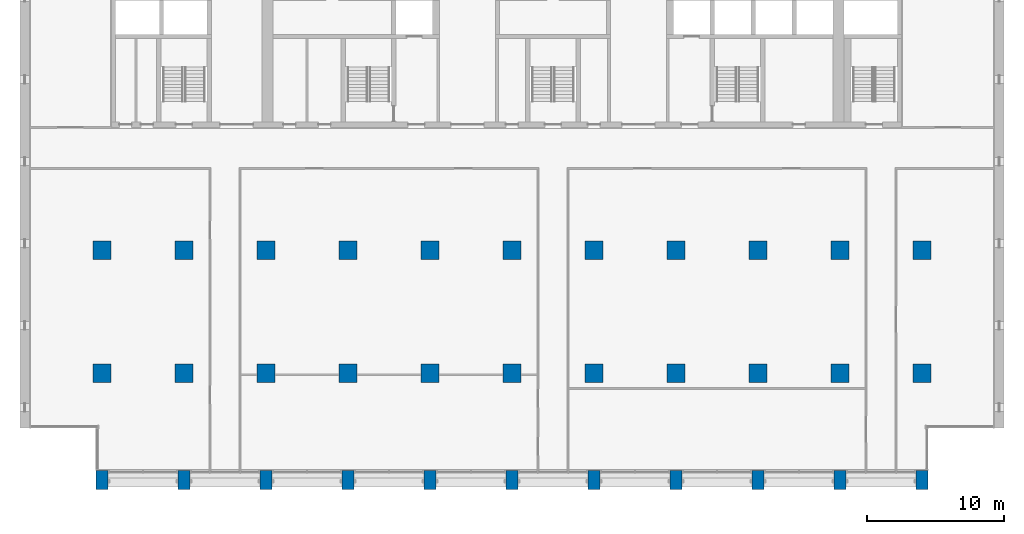
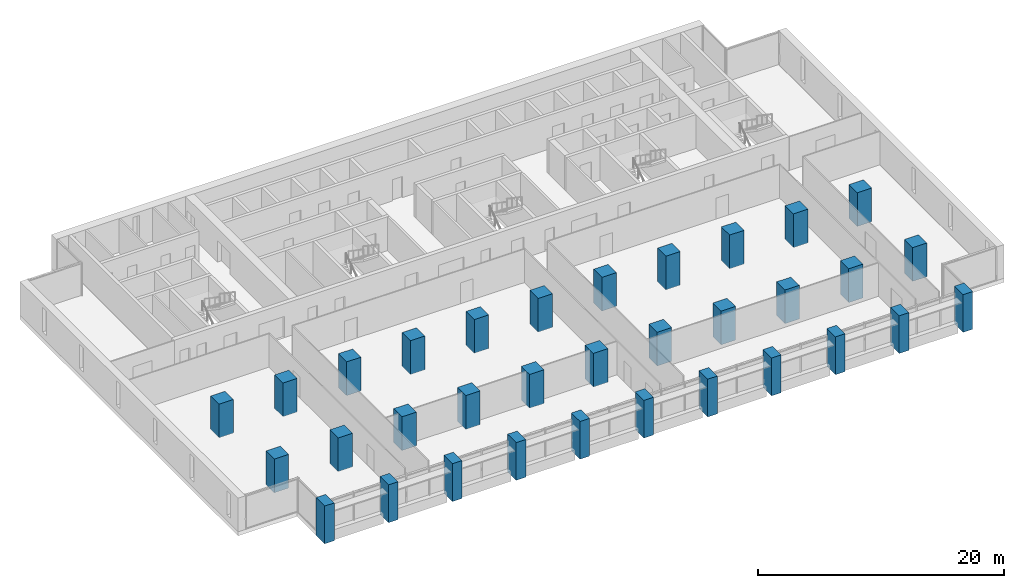
# One storey, part 1 of 15: 33 columns.
"""IFC4 building model written with IfcOpenShell, lengths in metres."""

from ifc_helpers import new_model, si_unit, direction, frame, origin, origin_2d, place, context, subcontext, project, spatial, rectangle, extrude, material, material_profile, profile_set, type_object, element, save


model = new_model("IFC4")

# Units and contexts
model_context = context("Model", 3, precision=1e-05, world=origin(), true_north=direction((0.0, 1.0)))
body_context = subcontext(model_context, "Body", "Model", "MODEL_VIEW")
ifc_project = project(units=[si_unit("LENGTHUNIT", "METRE"), si_unit("AREAUNIT", "SQUARE_METRE"), si_unit("VOLUMEUNIT", "CUBIC_METRE"), si_unit("PLANEANGLEUNIT", "RADIAN"), si_unit("MASSUNIT", "GRAM", prefix="KILO")], contexts=[model_context])

# Site, building, storey
site_placement = place(None, origin())
site = spatial("IfcSite", under=ifc_project, at=site_placement, CompositionType="ELEMENT")
building_placement = place(site_placement, origin())
building = spatial("IfcBuilding", under=site, at=building_placement, Name="Calvaro Tower", CompositionType="ELEMENT")
storey_placement = place(building_placement, frame((0.0, 0.0, 113.75)))
storey = spatial("IfcBuildingStorey", under=building, at=storey_placement, Name="L28", CompositionType="ELEMENT", Elevation=113.75)

# Columns
ifc_material_1 = material(Name="Concrete C60/75", Category="concrete")
ifc_material_profile_1 = material_profile(ifc_material_1, rectangle(XDim=1.35009765625, YDim=1.35009765625, at=origin_2d()), Name="RC 1350x1350")
ifc_profile_set_1 = profile_set([ifc_material_profile_1], Name="Concrete C60/75")
column_type_1 = type_object("IfcColumnType", Name="Column 1350x1350 C60/75", PredefinedType="COLUMN", material=ifc_profile_set_1)
for number, where, z_axis, x_axis, name in (
    (1, (6.0, 10.0, 0.0), (0.0, 0.0, 1.0), (1.0, 0.0, 0.0), "Column 2B"),
    (2, (6.0, 19.0, 0.0), (0.0, 0.0, 1.0), (1.0, 0.0, 0.0), "Column 2C"),
    (3, (12.0, 10.0, 0.0), (0.0, 0.0, 1.0), (1.0, 0.0, 0.0), "Column 3B"),
    (4, (12.0, 19.0, 0.0), (0.0, 0.0, 1.0), (1.0, 0.0, 0.0), "Column 3C"),
    (5, (18.0, 10.0, 0.0), (0.0, 0.0, 1.0), (1.0, 0.0, 0.0), "Column 4B"),
    (6, (18.0, 19.0, 0.0), (0.0, 0.0, 1.0), (1.0, 0.0, 0.0), "Column 4C"),
    (7, (24.0, 10.0, 0.0), (0.0, 0.0, 1.0), (1.0, 0.0, 0.0), "Column 5B"),
    (8, (24.0, 19.0, 0.0), (0.0, 0.0, 1.0), (1.0, 0.0, 0.0), "Column 5C"),
    (9, (30.0, 10.0, 0.0), (0.0, 0.0, 1.0), (1.0, 0.0, 0.0), "Column 6B"),
    (10, (30.0, 19.0, 0.0), (0.0, 0.0, 1.0), (1.0, 0.0, 0.0), "Column 6C"),
    (11, (36.0, 10.0, 0.0), (0.0, 0.0, 1.0), (1.0, 0.0, 0.0), "Column 7B"),
    (12, (36.0, 19.0, 0.0), (0.0, 0.0, 1.0), (1.0, 0.0, 0.0), "Column 7C"),
    (13, (42.0, 10.0, 0.0), (0.0, 0.0, 1.0), (1.0, 0.0, 0.0), "Column 8B"),
    (14, (42.0, 19.0, 0.0), (0.0, 0.0, 1.0), (1.0, 0.0, 0.0), "Column 8C"),
    (15, (48.0, 10.0, 0.0), (0.0, 0.0, 1.0), (1.0, 0.0, 0.0), "Column 9B"),
    (16, (48.0, 19.0, 0.0), (0.0, 0.0, 1.0), (1.0, 0.0, 0.0), "Column 9C"),
    (17, (54.0, 10.0, 0.0), (0.0, 0.0, 1.0), (1.0, 0.0, 0.0), "Column 10B"),
    (18, (54.0, 19.0, 0.0), (0.0, 0.0, 1.0), (1.0, 0.0, 0.0), "Column 10C"),
    (19, (60.0, 10.0, 0.0), (0.0, 0.0, 1.0), (1.0, 0.0, 0.0), "Column 11B"),
    (20, (60.0, 19.0, 0.0), (0.0, 0.0, 1.0), (1.0, 0.0, 0.0), "Column 11C"),
    (21, (66.0, 10.0, 0.0), (0.0, 0.0, 1.0), (1.0, 0.0, 0.0), "Column 12B"),
    (22, (66.0, 19.0, 0.0), (0.0, 0.0, 1.0), (1.0, 0.0, 0.0), "Column 12C"),
):
    element("IfcColumn", number, at=place(storey_placement, frame(where, z_axis=z_axis, x_axis=x_axis)), inside=storey, type_object=column_type_1, Name=name, PredefinedType="COLUMN", context=body_context, shape_type="SweptSolid", body=[
        extrude(rectangle(XDim=1.35009765625, YDim=1.35009765625, at=origin_2d()), origin(), (0.0, 0.0, 1.0), 3.35009765625),
    ])
ifc_material_2 = material(Name="Concrete C60/75", Category="concrete")
ifc_material_profile_2 = material_profile(ifc_material_2, rectangle(XDim=0.89990234375, YDim=1.39990234375, at=origin_2d()), Name="RC 900x1400")
ifc_profile_set_2 = profile_set([ifc_material_profile_2], Name="Concrete C60/75")
column_type_2 = type_object("IfcColumnType", Name="Pier 900x1400 C60/75", PredefinedType="COLUMN", material=ifc_profile_set_2)
for number, where, z_axis, x_axis, name in (
    (23, (6.0, 2.199951171875, -0.39990234375), (0.0, 0.0, 1.0), (1.0, 0.0, 0.0), "South pier 2"),
    (24, (12.0, 2.199951171875, -0.39990234375), (0.0, 0.0, 1.0), (1.0, 0.0, 0.0), "South pier 3"),
    (25, (18.0, 2.199951171875, -0.39990234375), (0.0, 0.0, 1.0), (1.0, 0.0, 0.0), "South pier 4"),
    (26, (24.0, 2.199951171875, -0.39990234375), (0.0, 0.0, 1.0), (1.0, 0.0, 0.0), "South pier 5"),
    (27, (30.0, 2.199951171875, -0.39990234375), (0.0, 0.0, 1.0), (1.0, 0.0, 0.0), "South pier 6"),
    (28, (36.0, 2.199951171875, -0.39990234375), (0.0, 0.0, 1.0), (1.0, 0.0, 0.0), "South pier 7"),
    (29, (42.0, 2.199951171875, -0.39990234375), (0.0, 0.0, 1.0), (1.0, 0.0, 0.0), "South pier 8"),
    (30, (48.0, 2.199951171875, -0.39990234375), (0.0, 0.0, 1.0), (1.0, 0.0, 0.0), "South pier 9"),
    (31, (54.0, 2.199951171875, -0.39990234375), (0.0, 0.0, 1.0), (1.0, 0.0, 0.0), "South pier 10"),
    (32, (60.0, 2.199951171875, -0.39990234375), (0.0, 0.0, 1.0), (1.0, 0.0, 0.0), "South pier 11"),
    (33, (66.0, 2.199951171875, -0.39990234375), (0.0, 0.0, 1.0), (1.0, 0.0, 0.0), "South pier 12"),
):
    element("IfcColumn", number, at=place(storey_placement, frame(where, z_axis=z_axis, x_axis=x_axis)), inside=storey, type_object=column_type_2, Name=name, PredefinedType="COLUMN", context=body_context, shape_type="SweptSolid", body=[
        extrude(rectangle(XDim=0.89990234375, YDim=1.39990234375, at=origin_2d()), origin(), (0.0, 0.0, 1.0), 3.75),
    ])

save(model, "model.ifc")
